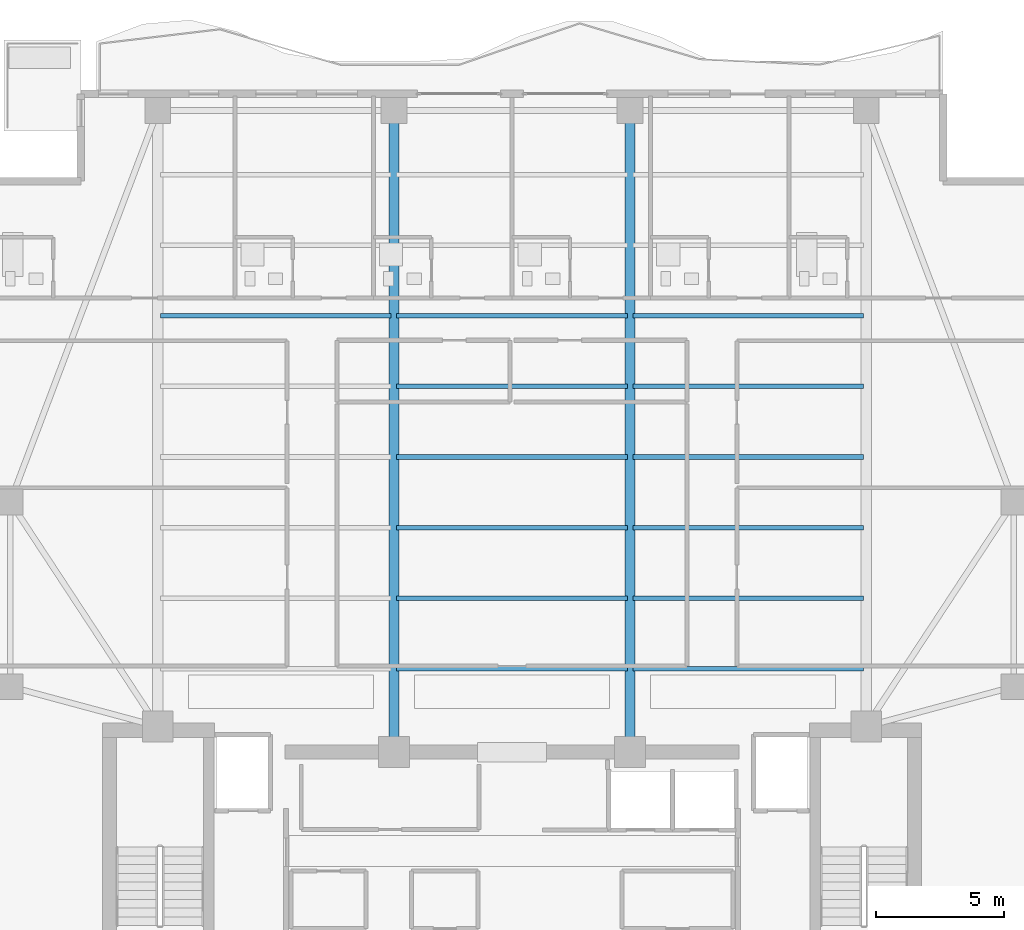
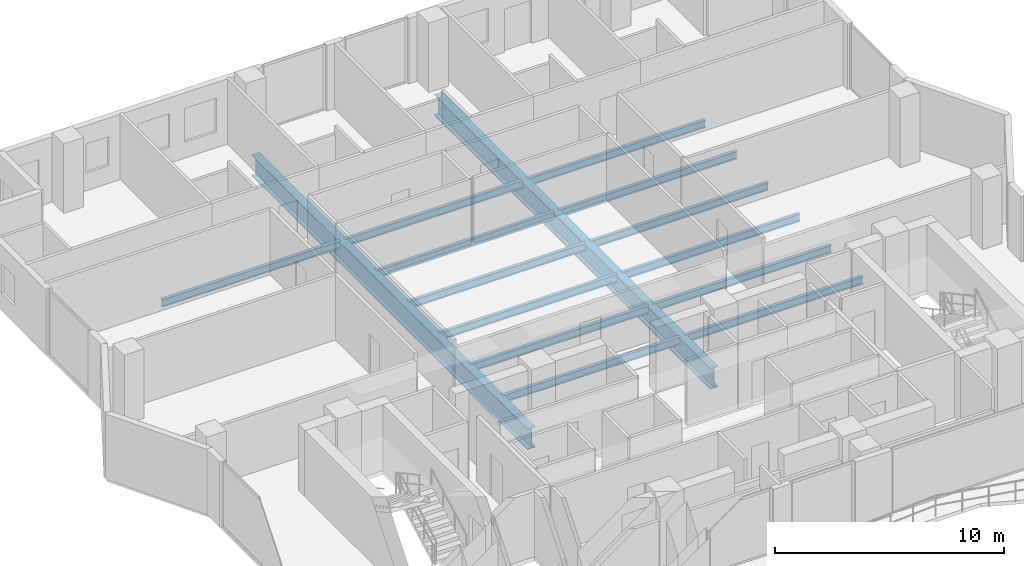
# One storey, part 9 of 23: 15 beams.
"""IFC4 building model written with IfcOpenShell, lengths in metres."""

import ifcopenshell
import ifcopenshell.guid

model = None  # the IFC model being written
_history = None  # IfcOwnerHistory: only IFC2X3 demands one
_inside = {}  # id of a spatial element -> (the spatial element, [elements in it])
_under = {}  # id of a project, library or spatial element -> (it, [spatial elements below it])
_declared = {}  # id of a project -> (the project, [libraries it declares])
_typed = {}  # id of a type object -> (the type object, [elements of that type])
_made_of = {}  # id of a material, layer set ... -> (it, [elements and type objects made of it])


def new_model(schema):
    """Start an empty IFC model of exactly this schema.

    Asked for "IFC4X3", IfcOpenShell would pick the latest addendum, in which some entities
    have other attributes; the version numbers below select the first issue.
    IFC2X3 requires an IfcOwnerHistory on every rooted entity: one is made here for all.
    """
    global model, _history
    if schema == "IFC4X3":
        model = ifcopenshell.file(schema_version=(4, 3, 0, 0))
    else:
        model = ifcopenshell.file(schema=schema)
    _inside.clear()
    _under.clear()
    _declared.clear()
    _typed.clear()
    _made_of.clear()
    _history = None
    if model.schema == "IFC2X3":
        org = make("IfcOrganization", Name="unknown")
        user = make(
            "IfcPersonAndOrganization",
            ThePerson=make("IfcPerson", FamilyName="unknown"),
            TheOrganization=org,
        )
        app = make(
            "IfcApplication",
            ApplicationDeveloper=org,
            Version="unknown",
            ApplicationFullName="unknown",
            ApplicationIdentifier="unknown",
        )
        _history = make(
            "IfcOwnerHistory",
            OwningUser=user,
            OwningApplication=app,
            ChangeAction="ADDED",
            CreationDate=0,
        )
    return model


def make(cls, **values):
    """One entity of the class cls with the attributes given. An attribute that is None is left unset."""
    return model.create_entity(
        cls, **{name: value for name, value in values.items() if value is not None}
    )


def rooted(cls, **values):
    """An entity with a GlobalId (a new one), such as an element, a storey or a relation."""
    return make(cls, GlobalId=ifcopenshell.guid.new(), OwnerHistory=_history, **values)


def si_unit(unit_type, name, prefix=None):
    """IfcSIUnit, for example si_unit("LENGTHUNIT", "METRE", prefix="MILLI")."""
    return make("IfcSIUnit", UnitType=unit_type, Prefix=prefix, Name=name)


def assignment(units):
    """IfcUnitAssignment: the units of a project."""
    return None if units is None else make("IfcUnitAssignment", Units=units)


def point(xyz):
    """IfcCartesianPoint."""
    return None if xyz is None else make("IfcCartesianPoint", Coordinates=xyz)


def direction(xyz):
    """IfcDirection."""
    return None if xyz is None else make("IfcDirection", DirectionRatios=xyz)


def frame(location, z_axis=None, x_axis=None):
    """IfcAxis2Placement3D, a coordinate frame: its origin and axes. An axis left out is left unset."""
    return make(
        "IfcAxis2Placement3D",
        Location=point(location),
        Axis=direction(z_axis),
        RefDirection=direction(x_axis),
    )


def frame_2d(location, x_axis=None):
    """IfcAxis2Placement2D, a coordinate frame in the plane: its origin and x axis."""
    return make(
        "IfcAxis2Placement2D", Location=point(location), RefDirection=direction(x_axis)
    )


def origin():
    """The frame at (0, 0, 0) with its axes left unset."""
    return frame((0.0, 0.0, 0.0))


def origin_2d():
    """The frame at (0, 0) in the plane with its x axis left unset."""
    return frame_2d((0.0, 0.0))


def place(relative_to, where):
    """IfcLocalPlacement: puts the frame where relative to a parent placement (None: the world)."""
    return make(
        "IfcLocalPlacement", PlacementRelTo=relative_to, RelativePlacement=where
    )


def context(
    kind, dimensions, precision=None, world=None, true_north=None, identifier=None
):
    """IfcGeometricRepresentationContext, for example the 3D "Model" context."""
    return make(
        "IfcGeometricRepresentationContext",
        ContextIdentifier=identifier,
        ContextType=kind,
        CoordinateSpaceDimension=dimensions,
        Precision=precision,
        WorldCoordinateSystem=world,
        TrueNorth=true_north,
    )


def subcontext(parent, identifier, kind, view, scale=None):
    """IfcGeometricRepresentationSubContext, for example "Body" below "Model"."""
    return make(
        "IfcGeometricRepresentationSubContext",
        ContextIdentifier=identifier,
        ContextType=kind,
        ParentContext=parent,
        TargetScale=scale,
        TargetView=view,
    )


def project(units=None, contexts=None):
    """IfcProject with its units and contexts."""
    return rooted(
        "IfcProject",
        Name="project",
        RepresentationContexts=contexts,
        UnitsInContext=assignment(units),
    )


def spatial(cls, under=None, at=None, **own):
    """A site, building, storey or space (cls), placed at a placement, below another one or the project."""
    s = rooted(cls, ObjectPlacement=at, **own)
    if under is not None:
        _under.setdefault(under.id(), (under, []))[1].append(s)
    return s


def profile(cls, at=None, kind="AREA", **sizes):
    """A parametric profile (cls). Its sizes go by their IFC names, for example OverallWidth=200.0."""
    return make(cls, ProfileType=kind, Position=at, **sizes)


def i_section(**sizes):
    """IfcIShapeProfileDef."""
    return profile("IfcIShapeProfileDef", **sizes)


def extrude(swept, where, along, depth):
    """IfcExtrudedAreaSolid: the profile swept, set in the frame where, extruded along a direction by depth."""
    return make(
        "IfcExtrudedAreaSolid",
        SweptArea=swept,
        Position=where,
        ExtrudedDirection=direction(along),
        Depth=depth,
    )


def shape(context_of_items, identifier, shape_type, items):
    """IfcShapeRepresentation: the items that make up one representation, for example the "Body"."""
    return make(
        "IfcShapeRepresentation",
        ContextOfItems=context_of_items,
        RepresentationIdentifier=identifier,
        RepresentationType=shape_type,
        Items=items,
    )


def material(Name=None, Category=None):
    """IfcMaterial."""
    return make("IfcMaterial", Name=Name, Category=Category)


def material_profile(
    of_material, cross_section, Name=None, Category=None, Priority=None
):
    """IfcMaterialProfile: a cross section and its material."""
    return make(
        "IfcMaterialProfile",
        Name=Name,
        Material=of_material,
        Profile=cross_section,
        Priority=Priority,
        Category=Category,
    )


def profile_set(profiles, Name=None, composite=None):
    """IfcMaterialProfileSet."""
    return make(
        "IfcMaterialProfileSet",
        Name=Name,
        MaterialProfiles=profiles,
        CompositeProfile=composite,
    )


def made_of(thing, what):
    """Note that an element or type object is made of a material, layer set ...; save() writes the relation."""
    if what is not None:
        _made_of.setdefault(what.id(), (what, []))[1].append(thing)
    return thing


def type_object(cls, material=None, **own):
    """A type object (cls), such as IfcWallType, which elements share."""
    return made_of(rooted(cls, **own), material)


def element(
    cls,
    number,
    at=None,
    inside=None,
    cuts=None,
    type_object=None,
    material=None,
    context=None,
    identifier="Body",
    shape_type=None,
    held_by="IfcProductDefinitionShape",
    body=None,
    shapes=None,
    **own,
):
    """One element of the class cls, such as IfcWall. Its Tag is "e" and its number.

    at: its placement. inside: the storey or other place that contains it. cuts: it is an
    opening in that element (IfcRelVoidsElement). A single representation is given by context,
    identifier, shape_type and body (its items); several are given by shapes. held_by: the class
    of the entity that holds the representations. save() writes the other relations.
    """
    e = rooted(cls, Tag="e%d" % number, ObjectPlacement=at, **own)
    if body is not None:
        shapes = [shape(context, identifier, shape_type, body)]
    if shapes is not None:
        e.Representation = make(held_by, Representations=shapes)
    if inside is not None:
        _inside.setdefault(inside.id(), (inside, []))[1].append(e)
    if cuts is not None:
        rooted(
            "IfcRelVoidsElement", RelatingBuildingElement=cuts, RelatedOpeningElement=e
        )
    if type_object is not None:
        _typed.setdefault(type_object.id(), (type_object, []))[1].append(e)
    return made_of(e, material)


def aggregate(whole, parts):
    """IfcRelAggregates: a whole, such as a stair, and the parts it consists of."""
    return rooted("IfcRelAggregates", RelatingObject=whole, RelatedObjects=parts)


def save(model, path):
    """Write the relations noted so far, then the file.

    IfcRelAggregates (storeys below a building ...), IfcRelContainedInSpatialStructure (elements
    in a storey), IfcRelDefinesByType, IfcRelAssociatesMaterial and IfcRelDeclares: one each for
    every whole, place, type object, material and project.
    """
    for whole, parts in _under.values():
        aggregate(whole, parts)
    for where, things in _inside.values():
        rooted(
            "IfcRelContainedInSpatialStructure",
            RelatedElements=things,
            RelatingStructure=where,
        )
    for kind, things in _typed.values():
        rooted("IfcRelDefinesByType", RelatedObjects=things, RelatingType=kind)
    for what, things in _made_of.values():
        rooted("IfcRelAssociatesMaterial", RelatedObjects=things, RelatingMaterial=what)
    for by, libraries in _declared.values():
        rooted("IfcRelDeclares", RelatingContext=by, RelatedDefinitions=libraries)
    model.write(path)


model = new_model("IFC4")

# Units and contexts
model_context = context("Model", 3, precision=1e-05, world=origin(), true_north=direction((0.0, 1.0)))
body_context = subcontext(model_context, "Body", "Model", "MODEL_VIEW")
ifc_project = project(units=[si_unit("LENGTHUNIT", "METRE"), si_unit("AREAUNIT", "SQUARE_METRE"), si_unit("VOLUMEUNIT", "CUBIC_METRE"), si_unit("PLANEANGLEUNIT", "RADIAN"), si_unit("MASSUNIT", "GRAM", prefix="KILO")], contexts=[model_context])

# Site, building, storey
site_placement = place(None, origin())
site = spatial("IfcSite", under=ifc_project, at=site_placement, CompositionType="ELEMENT")
building_placement = place(site_placement, origin())
building = spatial("IfcBuilding", under=site, at=building_placement, Name="Zuhayl Quay Hotel", CompositionType="ELEMENT")
storey_placement = place(building_placement, frame((0.0, 0.0, 272.949951171875)))
storey = spatial("IfcBuildingStorey", under=building, at=storey_placement, Name="L69", CompositionType="ELEMENT", Elevation=272.949951171875)

# Beams
ifc_material_1 = material(Name="Steel ASTM A992 Grade 50", Category="steel")
ifc_material_profile_1 = material_profile(ifc_material_1, i_section(OverallWidth=0.177978515625, OverallDepth=0.404052734375, WebThickness=0.007568359375, FlangeThickness=0.010986328125, at=origin_2d()), Name="W16X36")
ifc_profile_set_1 = profile_set([ifc_material_profile_1], Name="Steel ASTM A992 Grade 50")
beam_type_1 = type_object("IfcBeamType", Name="BM_J3_W16X36", PredefinedType="JOIST", material=ifc_profile_set_1)
beam_1_placement = place(storey_placement, frame((-4.493896484375, 16.60009765625, -0.421875), z_axis=(1.0, 0.0, 0.0), x_axis=(0.0, 1.0, 0.0)))
element("IfcBeam", 1, at=beam_1_placement, inside=storey, type_object=beam_type_1, Name="L69 Floor Beam FJ_L69_1_2", PredefinedType="JOIST", context=body_context, shape_type="SweptSolid", body=[
    extrude(i_section(OverallWidth=0.177978515625, OverallDepth=0.404052734375, WebThickness=0.007568359375, FlangeThickness=0.010986328125, at=origin_2d()), origin(), (0.0, 0.0, 1.0), 8.98779296875),
])
beam_2_placement = place(storey_placement, frame((4.7060546875, 16.60009765625, -0.421875), z_axis=(1.0, 0.0, 0.0), x_axis=(0.0, 1.0, 0.0)))
element("IfcBeam", 2, at=beam_2_placement, inside=storey, type_object=beam_type_1, Name="L69 Floor Beam FJ_L69_1_3", PredefinedType="JOIST", context=body_context, shape_type="SweptSolid", body=[
    extrude(i_section(OverallWidth=0.177978515625, OverallDepth=0.404052734375, WebThickness=0.007568359375, FlangeThickness=0.010986328125, at=origin_2d()), origin(), (0.0, 0.0, 1.0), 8.988037109375),
])
beam_3_placement = place(storey_placement, frame((-4.493896484375, 19.35009765625, -0.421875), z_axis=(1.0, 0.0, 0.0), x_axis=(0.0, 1.0, 0.0)))
element("IfcBeam", 3, at=beam_3_placement, inside=storey, type_object=beam_type_1, Name="L69 Floor Beam FJ_L69_2_2", PredefinedType="JOIST", context=body_context, shape_type="SweptSolid", body=[
    extrude(i_section(OverallWidth=0.177978515625, OverallDepth=0.404052734375, WebThickness=0.007568359375, FlangeThickness=0.010986328125, at=origin_2d()), origin(), (0.0, 0.0, 1.0), 8.98779296875),
])
beam_4_placement = place(storey_placement, frame((4.7060546875, 19.35009765625, -0.421875), z_axis=(1.0, 0.0, 0.0), x_axis=(0.0, 1.0, 0.0)))
element("IfcBeam", 4, at=beam_4_placement, inside=storey, type_object=beam_type_1, Name="L69 Floor Beam FJ_L69_2_3", PredefinedType="JOIST", context=body_context, shape_type="SweptSolid", body=[
    extrude(i_section(OverallWidth=0.177978515625, OverallDepth=0.404052734375, WebThickness=0.007568359375, FlangeThickness=0.010986328125, at=origin_2d()), origin(), (0.0, 0.0, 1.0), 8.988037109375),
])
beam_5_placement = place(storey_placement, frame((-4.493896484375, 22.10009765625, -0.421875), z_axis=(1.0, 0.0, 0.0), x_axis=(0.0, 1.0, 0.0)))
element("IfcBeam", 5, at=beam_5_placement, inside=storey, type_object=beam_type_1, Name="L69 Floor Beam FJ_L69_3_2", PredefinedType="JOIST", context=body_context, shape_type="SweptSolid", body=[
    extrude(i_section(OverallWidth=0.177978515625, OverallDepth=0.404052734375, WebThickness=0.007568359375, FlangeThickness=0.010986328125, at=origin_2d()), origin(), (0.0, 0.0, 1.0), 8.98779296875),
])
beam_6_placement = place(storey_placement, frame((4.7060546875, 22.10009765625, -0.421875), z_axis=(1.0, 0.0, 0.0), x_axis=(0.0, 1.0, 0.0)))
element("IfcBeam", 6, at=beam_6_placement, inside=storey, type_object=beam_type_1, Name="L69 Floor Beam FJ_L69_3_3", PredefinedType="JOIST", context=body_context, shape_type="SweptSolid", body=[
    extrude(i_section(OverallWidth=0.177978515625, OverallDepth=0.404052734375, WebThickness=0.007568359375, FlangeThickness=0.010986328125, at=origin_2d()), origin(), (0.0, 0.0, 1.0), 8.988037109375),
])
beam_7_placement = place(storey_placement, frame((-4.493896484375, 24.85009765625, -0.421875), z_axis=(1.0, 0.0, 0.0), x_axis=(0.0, 1.0, 0.0)))
element("IfcBeam", 7, at=beam_7_placement, inside=storey, type_object=beam_type_1, Name="L69 Floor Beam FJ_L69_4_2", PredefinedType="JOIST", context=body_context, shape_type="SweptSolid", body=[
    extrude(i_section(OverallWidth=0.177978515625, OverallDepth=0.404052734375, WebThickness=0.007568359375, FlangeThickness=0.010986328125, at=origin_2d()), origin(), (0.0, 0.0, 1.0), 8.98779296875),
])
beam_8_placement = place(storey_placement, frame((4.7060546875, 24.85009765625, -0.421875), z_axis=(1.0, 0.0, 0.0), x_axis=(0.0, 1.0, 0.0)))
element("IfcBeam", 8, at=beam_8_placement, inside=storey, type_object=beam_type_1, Name="L69 Floor Beam FJ_L69_4_3", PredefinedType="JOIST", context=body_context, shape_type="SweptSolid", body=[
    extrude(i_section(OverallWidth=0.177978515625, OverallDepth=0.404052734375, WebThickness=0.007568359375, FlangeThickness=0.010986328125, at=origin_2d()), origin(), (0.0, 0.0, 1.0), 8.988037109375),
])
beam_9_placement = place(storey_placement, frame((-4.493896484375, 27.60009765625, -0.421875), z_axis=(1.0, 0.0, 0.0), x_axis=(0.0, 1.0, 0.0)))
element("IfcBeam", 9, at=beam_9_placement, inside=storey, type_object=beam_type_1, Name="L69 Floor Beam FJ_L69_5_2", PredefinedType="JOIST", context=body_context, shape_type="SweptSolid", body=[
    extrude(i_section(OverallWidth=0.177978515625, OverallDepth=0.404052734375, WebThickness=0.007568359375, FlangeThickness=0.010986328125, at=origin_2d()), origin(), (0.0, 0.0, 1.0), 8.98779296875),
])
for number, where, z_axis, x_axis, name in (
    (10, (4.7060546875, 27.60009765625, -0.421875), (1.0, 0.0, 0.0), (0.0, 1.0, 0.0), "L69 Floor Beam FJ_L69_5_3"),
    (11, (-13.694091796875, 30.35009765625, -0.421875), (1.0, 0.0, 0.0), (0.0, 1.0, 0.0), "L69 Floor Beam FJ_L69_6_1"),
):
    element("IfcBeam", number, at=place(storey_placement, frame(where, z_axis=z_axis, x_axis=x_axis)), inside=storey, type_object=beam_type_1, Name=name, PredefinedType="JOIST", context=body_context, shape_type="SweptSolid", body=[
        extrude(i_section(OverallWidth=0.177978515625, OverallDepth=0.404052734375, WebThickness=0.007568359375, FlangeThickness=0.010986328125, at=origin_2d()), origin(), (0.0, 0.0, 1.0), 8.988037109375),
    ])
beam_10_placement = place(storey_placement, frame((-4.493896484375, 30.35009765625, -0.421875), z_axis=(1.0, 0.0, 0.0), x_axis=(0.0, 1.0, 0.0)))
element("IfcBeam", 12, at=beam_10_placement, inside=storey, type_object=beam_type_1, Name="L69 Floor Beam FJ_L69_6_2", PredefinedType="JOIST", context=body_context, shape_type="SweptSolid", body=[
    extrude(i_section(OverallWidth=0.177978515625, OverallDepth=0.404052734375, WebThickness=0.007568359375, FlangeThickness=0.010986328125, at=origin_2d()), origin(), (0.0, 0.0, 1.0), 8.98779296875),
])
beam_11_placement = place(storey_placement, frame((4.7060546875, 30.35009765625, -0.421875), z_axis=(1.0, 0.0, 0.0), x_axis=(0.0, 1.0, 0.0)))
element("IfcBeam", 13, at=beam_11_placement, inside=storey, type_object=beam_type_1, Name="L69 Floor Beam FJ_L69_6_3", PredefinedType="JOIST", context=body_context, shape_type="SweptSolid", body=[
    extrude(i_section(OverallWidth=0.177978515625, OverallDepth=0.404052734375, WebThickness=0.007568359375, FlangeThickness=0.010986328125, at=origin_2d()), origin(), (0.0, 0.0, 1.0), 8.988037109375),
])
ifc_material_2 = material(Name="Steel ASTM A913 Grade 65", Category="steel")
ifc_material_profile_2 = material_profile(ifc_material_2, i_section(OverallWidth=0.404052734375, OverallDepth=1.117919921875, WebThickness=0.026123046875, FlangeThickness=0.044921875, at=origin_2d()), Name="W44X335")
ifc_profile_set_2 = profile_set([ifc_material_profile_2], Name="Steel ASTM A913 Grade 65")
beam_type_2 = type_object("IfcBeamType", Name="BM_TG1_W44X335", PredefinedType="BEAM", material=ifc_profile_set_2)
for number, where, z_axis, x_axis, name in (
    (14, (-4.60009765625, 13.800048828125, -0.779052734375), (0.0, 1.0, 0.0), (-1.0, 0.0, 0.0), "L69 Floor Beam FG_N_L69_2"),
    (15, (4.60009765625, 13.800048828125, -0.779052734375), (0.0, 1.0, 0.0), (-1.0, 0.0, 0.0), "L69 Floor Beam FG_N_L69_3"),
):
    element("IfcBeam", number, at=place(storey_placement, frame(where, z_axis=z_axis, x_axis=x_axis)), inside=storey, type_object=beam_type_2, Name=name, PredefinedType="BEAM", context=body_context, shape_type="SweptSolid", body=[
        extrude(i_section(OverallWidth=0.404052734375, OverallDepth=1.117919921875, WebThickness=0.026123046875, FlangeThickness=0.044921875, at=origin_2d()), origin(), (0.0, 0.0, 1.0), 24.08984375),
    ])

save(model, "model.ifc")
